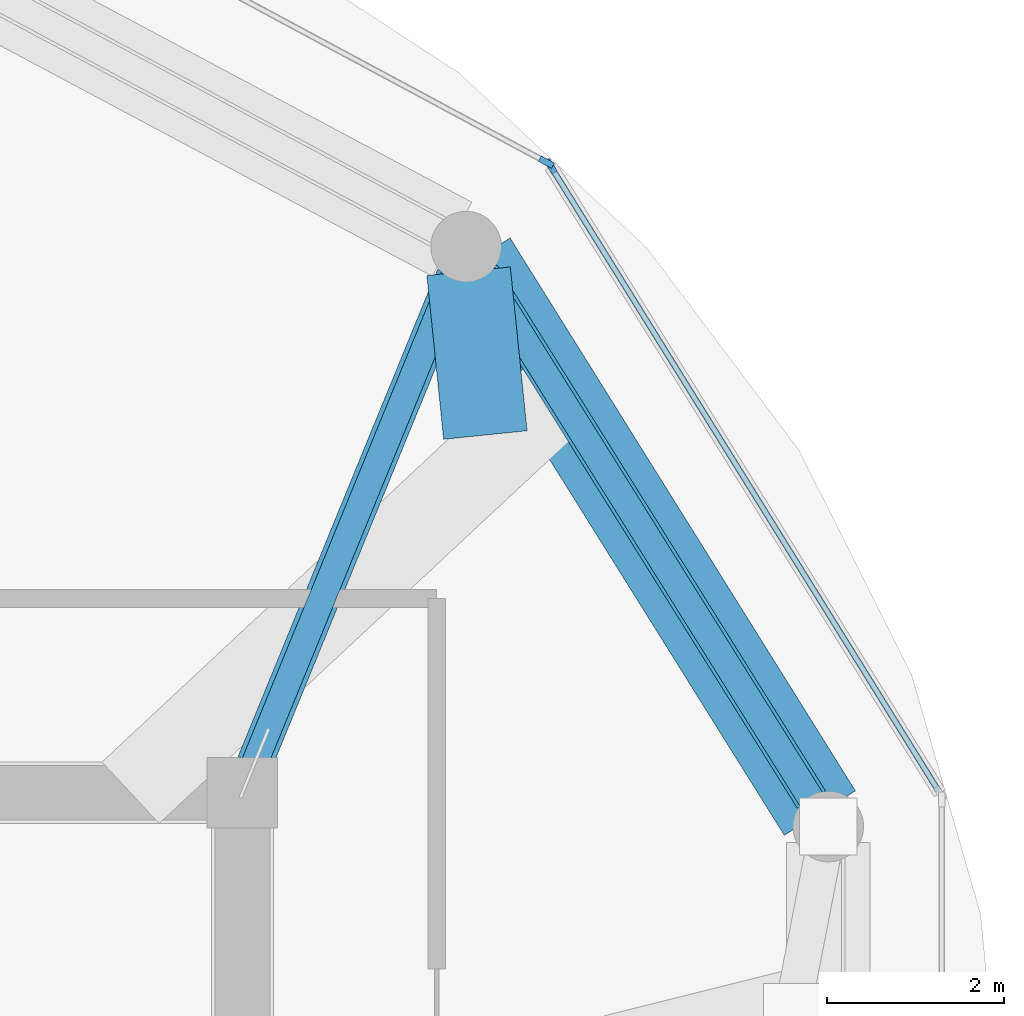
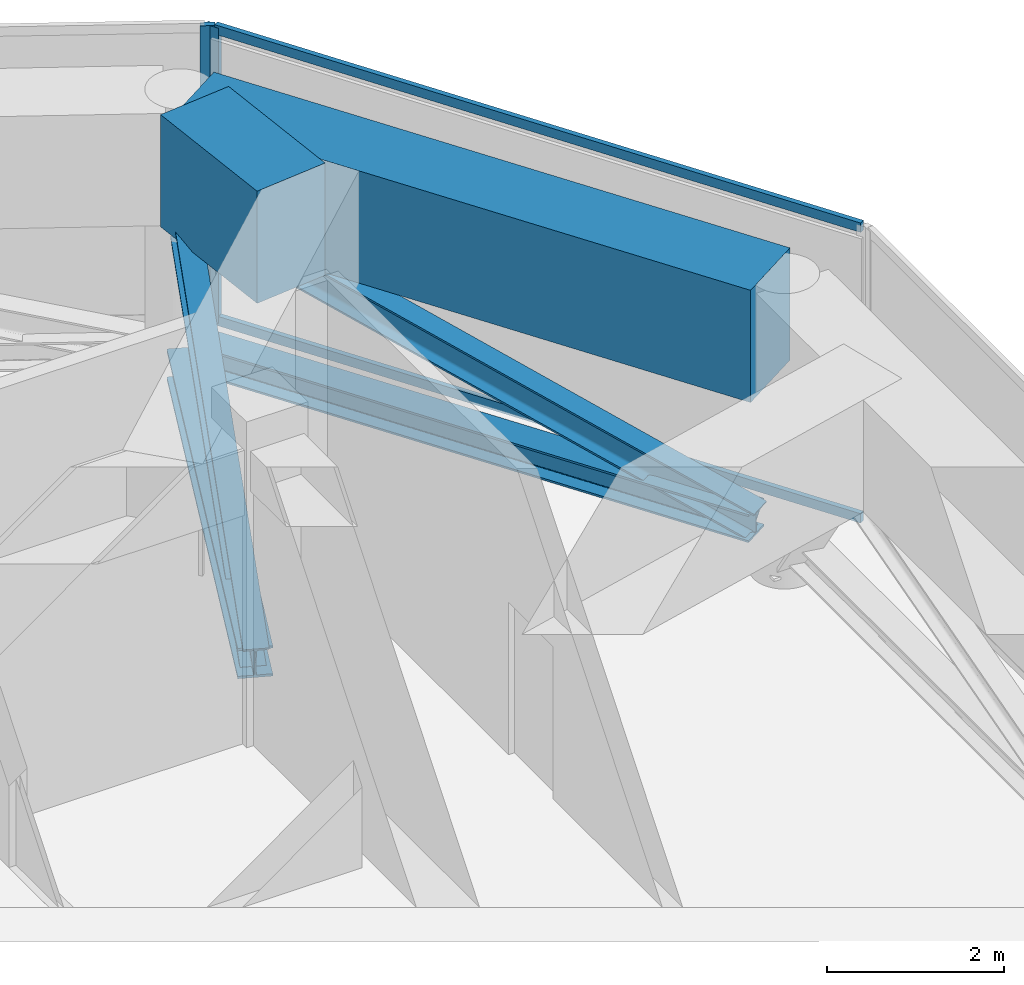
# One storey, part 10 of 20: 8 members, 2 beams, 2 elements without a shape of their own.
"""IFC4 building model written with IfcOpenShell, lengths in metres."""

import ifcopenshell
import ifcopenshell.guid

model = None  # the IFC model being written
_history = None  # IfcOwnerHistory: only IFC2X3 demands one
_inside = {}  # id of a spatial element -> (the spatial element, [elements in it])
_under = {}  # id of a project, library or spatial element -> (it, [spatial elements below it])
_declared = {}  # id of a project -> (the project, [libraries it declares])
_typed = {}  # id of a type object -> (the type object, [elements of that type])
_made_of = {}  # id of a material, layer set ... -> (it, [elements and type objects made of it])


def new_model(schema):
    """Start an empty IFC model of exactly this schema.

    Asked for "IFC4X3", IfcOpenShell would pick the latest addendum, in which some entities
    have other attributes; the version numbers below select the first issue.
    IFC2X3 requires an IfcOwnerHistory on every rooted entity: one is made here for all.
    """
    global model, _history
    if schema == "IFC4X3":
        model = ifcopenshell.file(schema_version=(4, 3, 0, 0))
    else:
        model = ifcopenshell.file(schema=schema)
    _inside.clear()
    _under.clear()
    _declared.clear()
    _typed.clear()
    _made_of.clear()
    _history = None
    if model.schema == "IFC2X3":
        org = make("IfcOrganization", Name="unknown")
        user = make(
            "IfcPersonAndOrganization",
            ThePerson=make("IfcPerson", FamilyName="unknown"),
            TheOrganization=org,
        )
        app = make(
            "IfcApplication",
            ApplicationDeveloper=org,
            Version="unknown",
            ApplicationFullName="unknown",
            ApplicationIdentifier="unknown",
        )
        _history = make(
            "IfcOwnerHistory",
            OwningUser=user,
            OwningApplication=app,
            ChangeAction="ADDED",
            CreationDate=0,
        )
    return model


def make(cls, **values):
    """One entity of the class cls with the attributes given. An attribute that is None is left unset."""
    return model.create_entity(
        cls, **{name: value for name, value in values.items() if value is not None}
    )


def rooted(cls, **values):
    """An entity with a GlobalId (a new one), such as an element, a storey or a relation."""
    return make(cls, GlobalId=ifcopenshell.guid.new(), OwnerHistory=_history, **values)


def si_unit(unit_type, name, prefix=None):
    """IfcSIUnit, for example si_unit("LENGTHUNIT", "METRE", prefix="MILLI")."""
    return make("IfcSIUnit", UnitType=unit_type, Prefix=prefix, Name=name)


def assignment(units):
    """IfcUnitAssignment: the units of a project."""
    return None if units is None else make("IfcUnitAssignment", Units=units)


def point(xyz):
    """IfcCartesianPoint."""
    return None if xyz is None else make("IfcCartesianPoint", Coordinates=xyz)


def direction(xyz):
    """IfcDirection."""
    return None if xyz is None else make("IfcDirection", DirectionRatios=xyz)


def frame(location, z_axis=None, x_axis=None):
    """IfcAxis2Placement3D, a coordinate frame: its origin and axes. An axis left out is left unset."""
    return make(
        "IfcAxis2Placement3D",
        Location=point(location),
        Axis=direction(z_axis),
        RefDirection=direction(x_axis),
    )


def frame_2d(location, x_axis=None):
    """IfcAxis2Placement2D, a coordinate frame in the plane: its origin and x axis."""
    return make(
        "IfcAxis2Placement2D", Location=point(location), RefDirection=direction(x_axis)
    )


def origin():
    """The frame at (0, 0, 0) with its axes left unset."""
    return frame((0.0, 0.0, 0.0))


def origin_2d():
    """The frame at (0, 0) in the plane with its x axis left unset."""
    return frame_2d((0.0, 0.0))


def place(relative_to, where):
    """IfcLocalPlacement: puts the frame where relative to a parent placement (None: the world)."""
    return make(
        "IfcLocalPlacement", PlacementRelTo=relative_to, RelativePlacement=where
    )


def context(
    kind, dimensions, precision=None, world=None, true_north=None, identifier=None
):
    """IfcGeometricRepresentationContext, for example the 3D "Model" context."""
    return make(
        "IfcGeometricRepresentationContext",
        ContextIdentifier=identifier,
        ContextType=kind,
        CoordinateSpaceDimension=dimensions,
        Precision=precision,
        WorldCoordinateSystem=world,
        TrueNorth=true_north,
    )


def subcontext(parent, identifier, kind, view, scale=None):
    """IfcGeometricRepresentationSubContext, for example "Body" below "Model"."""
    return make(
        "IfcGeometricRepresentationSubContext",
        ContextIdentifier=identifier,
        ContextType=kind,
        ParentContext=parent,
        TargetScale=scale,
        TargetView=view,
    )


def project(units=None, contexts=None):
    """IfcProject with its units and contexts."""
    return rooted(
        "IfcProject",
        Name="project",
        RepresentationContexts=contexts,
        UnitsInContext=assignment(units),
    )


def spatial(cls, under=None, at=None, **own):
    """A site, building, storey or space (cls), placed at a placement, below another one or the project."""
    s = rooted(cls, ObjectPlacement=at, **own)
    if under is not None:
        _under.setdefault(under.id(), (under, []))[1].append(s)
    return s


def profile(cls, at=None, kind="AREA", **sizes):
    """A parametric profile (cls). Its sizes go by their IFC names, for example OverallWidth=200.0."""
    return make(cls, ProfileType=kind, Position=at, **sizes)


def rectangle(**sizes):
    """IfcRectangleProfileDef."""
    return profile("IfcRectangleProfileDef", **sizes)


def i_section(**sizes):
    """IfcIShapeProfileDef."""
    return profile("IfcIShapeProfileDef", **sizes)


def extrude(swept, where, along, depth):
    """IfcExtrudedAreaSolid: the profile swept, set in the frame where, extruded along a direction by depth."""
    return make(
        "IfcExtrudedAreaSolid",
        SweptArea=swept,
        Position=where,
        ExtrudedDirection=direction(along),
        Depth=depth,
    )


def shape(context_of_items, identifier, shape_type, items):
    """IfcShapeRepresentation: the items that make up one representation, for example the "Body"."""
    return make(
        "IfcShapeRepresentation",
        ContextOfItems=context_of_items,
        RepresentationIdentifier=identifier,
        RepresentationType=shape_type,
        Items=items,
    )


def source(mapping_origin, context_of_items, identifier, shape_type, items):
    """IfcRepresentationMap: a shape defined once, which mapped items show again and again."""
    return make(
        "IfcRepresentationMap",
        MappingOrigin=mapping_origin,
        MappedRepresentation=shape(context_of_items, identifier, shape_type, items),
    )


def transform(
    local_origin,
    x_axis=None,
    y_axis=None,
    z_axis=None,
    scale=None,
    scale2=None,
    scale3=None,
    uniform=True,
):
    """IfcCartesianTransformationOperator3D, or its non-uniform kind. x_axis, y_axis, z_axis: its Axis1, 2, 3."""
    if uniform:
        return make(
            "IfcCartesianTransformationOperator3D",
            Axis1=direction(x_axis),
            Axis2=direction(y_axis),
            LocalOrigin=point(local_origin),
            Scale=scale,
            Axis3=direction(z_axis),
        )
    return make(
        "IfcCartesianTransformationOperator3DnonUniform",
        Axis1=direction(x_axis),
        Axis2=direction(y_axis),
        LocalOrigin=point(local_origin),
        Scale=scale,
        Axis3=direction(z_axis),
        Scale2=scale2,
        Scale3=scale3,
    )


def mapped(mapping_source, mapping_target):
    """IfcMappedItem: shows the shape of a source again, moved by a transform."""
    return make(
        "IfcMappedItem", MappingSource=mapping_source, MappingTarget=mapping_target
    )


def material(Name=None, Category=None):
    """IfcMaterial."""
    return make("IfcMaterial", Name=Name, Category=Category)


def layer(
    of_material, thickness, ventilated=None, Name=None, Category=None, Priority=None
):
    """IfcMaterialLayer: one layer of a wall or slab, of a material (None: an air gap)."""
    return make(
        "IfcMaterialLayer",
        Material=of_material,
        LayerThickness=thickness,
        IsVentilated=ventilated,
        Name=Name,
        Category=Category,
        Priority=Priority,
    )


def layer_set(layers, Name=None):
    """IfcMaterialLayerSet."""
    return make("IfcMaterialLayerSet", MaterialLayers=layers, LayerSetName=Name)


def material_profile(
    of_material, cross_section, Name=None, Category=None, Priority=None
):
    """IfcMaterialProfile: a cross section and its material."""
    return make(
        "IfcMaterialProfile",
        Name=Name,
        Material=of_material,
        Profile=cross_section,
        Priority=Priority,
        Category=Category,
    )


def profile_set(profiles, Name=None, composite=None):
    """IfcMaterialProfileSet."""
    return make(
        "IfcMaterialProfileSet",
        Name=Name,
        MaterialProfiles=profiles,
        CompositeProfile=composite,
    )


def made_of(thing, what):
    """Note that an element or type object is made of a material, layer set ...; save() writes the relation."""
    if what is not None:
        _made_of.setdefault(what.id(), (what, []))[1].append(thing)
    return thing


def type_object(cls, material=None, **own):
    """A type object (cls), such as IfcWallType, which elements share."""
    return made_of(rooted(cls, **own), material)


def type_shapes(of_type, sources):
    """Give a type object the sources (RepresentationMaps) that its elements show as mapped items."""
    of_type.RepresentationMaps = sources


def element(
    cls,
    number,
    at=None,
    inside=None,
    cuts=None,
    type_object=None,
    material=None,
    context=None,
    identifier="Body",
    shape_type=None,
    held_by="IfcProductDefinitionShape",
    body=None,
    shapes=None,
    **own,
):
    """One element of the class cls, such as IfcWall. Its Tag is "e" and its number.

    at: its placement. inside: the storey or other place that contains it. cuts: it is an
    opening in that element (IfcRelVoidsElement). A single representation is given by context,
    identifier, shape_type and body (its items); several are given by shapes. held_by: the class
    of the entity that holds the representations. save() writes the other relations.
    """
    e = rooted(cls, Tag="e%d" % number, ObjectPlacement=at, **own)
    if body is not None:
        shapes = [shape(context, identifier, shape_type, body)]
    if shapes is not None:
        e.Representation = make(held_by, Representations=shapes)
    if inside is not None:
        _inside.setdefault(inside.id(), (inside, []))[1].append(e)
    if cuts is not None:
        rooted(
            "IfcRelVoidsElement", RelatingBuildingElement=cuts, RelatedOpeningElement=e
        )
    if type_object is not None:
        _typed.setdefault(type_object.id(), (type_object, []))[1].append(e)
    return made_of(e, material)


def aggregate(whole, parts):
    """IfcRelAggregates: a whole, such as a stair, and the parts it consists of."""
    return rooted("IfcRelAggregates", RelatingObject=whole, RelatedObjects=parts)


def save(model, path):
    """Write the relations noted so far, then the file.

    IfcRelAggregates (storeys below a building ...), IfcRelContainedInSpatialStructure (elements
    in a storey), IfcRelDefinesByType, IfcRelAssociatesMaterial and IfcRelDeclares: one each for
    every whole, place, type object, material and project.
    """
    for whole, parts in _under.values():
        aggregate(whole, parts)
    for where, things in _inside.values():
        rooted(
            "IfcRelContainedInSpatialStructure",
            RelatedElements=things,
            RelatingStructure=where,
        )
    for kind, things in _typed.values():
        rooted("IfcRelDefinesByType", RelatedObjects=things, RelatingType=kind)
    for what, things in _made_of.values():
        rooted("IfcRelAssociatesMaterial", RelatedObjects=things, RelatingMaterial=what)
    for by, libraries in _declared.values():
        rooted("IfcRelDeclares", RelatingContext=by, RelatedDefinitions=libraries)
    model.write(path)


model = new_model("IFC4")

# Units and contexts
model_context = context("Model", 3, precision=1e-05, world=origin(), true_north=direction((0.0, 1.0)))
body_context = subcontext(model_context, "Body", "Model", "MODEL_VIEW")
ifc_project = project(units=[si_unit("LENGTHUNIT", "METRE"), si_unit("AREAUNIT", "SQUARE_METRE"), si_unit("VOLUMEUNIT", "CUBIC_METRE"), si_unit("PLANEANGLEUNIT", "RADIAN"), si_unit("MASSUNIT", "GRAM", prefix="KILO")], contexts=[model_context])

# Site, building, storey
site_placement = place(None, origin())
site = spatial("IfcSite", under=ifc_project, at=site_placement, CompositionType="ELEMENT")
building_placement = place(site_placement, origin())
building = spatial("IfcBuilding", under=site, at=building_placement, Name="Norrkilde Senior Care Towers", CompositionType="ELEMENT")
storey_placement = place(building_placement, frame((0.0, 0.0, 186.14990234375)))
storey = spatial("IfcBuildingStorey", under=building, at=storey_placement, Name="L58", CompositionType="ELEMENT", Elevation=186.14990234375)

# Beams
ifc_material_1 = material(Name="Concrete C60/75", Category="concrete")
ifc_material_profile_1 = material_profile(ifc_material_1, rectangle(XDim=0.949951171875, YDim=1.550048828125, at=origin_2d()), Name="RC TG 950x1550")
ifc_profile_set_1 = profile_set([ifc_material_profile_1], Name="Concrete C60/75")
beam_type = type_object("IfcBeamType", Name="Transfer Girder Zone Shift 950x1550", PredefinedType="USERDEFINED", material=ifc_profile_set_1)
shared_shape_1 = source(origin(), body_context, "Body", "SweptSolid", [
    extrude(rectangle(XDim=0.949951171875, YDim=1.550048828125, at=origin_2d()), origin(), (0.0, 0.0, 1.0), 7.383056640625),
])
beam_1_placement = place(storey_placement, frame((42.189453125, 5.7197265625, 3.30517578125), z_axis=(-0.529770050901, 0.848141316744, 0.0), x_axis=(-0.848141316744, -0.529770050901, 0.0)))
element("IfcBeam", 1, at=beam_1_placement, inside=storey, type_object=beam_type, Name="L58 Drum E Zone Ring Transfer Girder 01", ObjectType="GIRDER", PredefinedType="USERDEFINED", context=body_context, shape_type="MappedRepresentation", body=[
    mapped(shared_shape_1, transform((0.0, 0.0, 0.0), x_axis=(1.0, 0.0, 0.0), y_axis=(0.0, 1.0, 0.0), z_axis=(0.0, 0.0, 1.0), scale=1.0)),
])
shared_shape_2 = source(origin(), body_context, "Body", "SweptSolid", [
    extrude(rectangle(XDim=0.949951171875, YDim=1.550048828125, at=origin_2d()), origin(), (0.0, 0.0, 1.0), 1.864501953125),
])
type_shapes(beam_type, [shared_shape_1, shared_shape_2])
beam_2_placement = place(storey_placement, frame((38.4013671875, 10.001220703125, 3.30517578125), z_axis=(-0.10200560731, 0.994783823792, 0.0), x_axis=(-0.994783823792, -0.10200560731, 0.0)))
element("IfcBeam", 2, at=beam_2_placement, inside=storey, type_object=beam_type, Name="L58 Drum E Zone Star Transfer Tie 02", ObjectType="GIRDER", PredefinedType="USERDEFINED", context=body_context, shape_type="MappedRepresentation", body=[
    mapped(shared_shape_2, transform((0.0, 0.0, 0.0), x_axis=(1.0, 0.0, 0.0), y_axis=(0.0, 1.0, 0.0), z_axis=(0.0, 0.0, 1.0), scale=1.0)),
])

# Members
ifc_material_2 = material(Name="Steel S355", Category="steel")
ifc_material_profile_2 = material_profile(ifc_material_2, i_section(OverallWidth=0.3740234375, OverallDepth=0.386962890625, WebThickness=0.01611328125, FlangeThickness=0.027099609375, FilletRadius=0.014892578125, at=origin_2d()), Name="HD 360x262")
ifc_profile_set_2 = profile_set([ifc_material_profile_2], Name="Steel S355")
member_type_1 = type_object("IfcMemberType", Name="Belt Truss Ring Chord HD360x262", PredefinedType="CHORD", material=ifc_profile_set_2)
shared_shape_3 = source(origin(), body_context, "Body", "SweptSolid", [
    extrude(i_section(OverallWidth=0.3740234375, OverallDepth=0.386962890625, WebThickness=0.01611328125, FlangeThickness=0.027099609375, FilletRadius=0.014892578125, at=origin_2d()), origin(), (0.0, 0.0, 1.0), 7.0234375),
])
type_shapes(member_type_1, [shared_shape_3])
member_1_placement = place(storey_placement, frame((42.09423828125, 5.872314453125, 0.550048828125), z_axis=(-0.529789577822, 0.848129119433, 0.0), x_axis=(-0.848129119433, -0.529789577822, 0.0)))
element("IfcMember", 3, at=member_1_placement, inside=storey, type_object=member_type_1, Name="L58 Drum E Belt Truss Bottom Chord 01", PredefinedType="CHORD", context=body_context, shape_type="MappedRepresentation", body=[
    mapped(shared_shape_3, transform((0.0, 0.0, 0.0), x_axis=(1.0, 0.0, 0.0), y_axis=(0.0, 1.0, 0.0), z_axis=(0.0, 0.0, 1.0), scale=1.0)),
])
ifc_material_profile_3 = material_profile(ifc_material_2, i_section(OverallWidth=0.300048828125, OverallDepth=0.39990234375, WebThickness=0.013427734375, FlangeThickness=0.02392578125, FilletRadius=0.027099609375, at=origin_2d()), Name="HEB 400")
ifc_profile_set_3 = profile_set([ifc_material_profile_3], Name="Steel S355")
member_type_2 = type_object("IfcMemberType", Name="Belt Truss Diagonal HEB400", PredefinedType="BRACE", material=ifc_profile_set_3)
shared_shape_4 = source(origin(), body_context, "Body", "SweptSolid", [
    extrude(i_section(OverallWidth=0.300048828125, OverallDepth=0.39990234375, WebThickness=0.013427734375, FlangeThickness=0.02392578125, FilletRadius=0.027099609375, at=origin_2d()), origin(), (0.0, 0.0, 1.0), 7.28369140625),
])
type_shapes(member_type_2, [shared_shape_4])
member_2_placement = place(storey_placement, frame((42.09423828125, 5.872314453125, 0.550048828125), z_axis=(-0.51085413753, 0.817815766787, 0.264963057357), x_axis=(-0.848129119433, -0.529789577822, 0.0)))
element("IfcMember", 4, at=member_2_placement, inside=storey, type_object=member_type_2, Name="L58 Drum E Belt Truss Diagonal 01", PredefinedType="BRACE", context=body_context, shape_type="MappedRepresentation", body=[
    mapped(shared_shape_4, transform((0.0, 0.0, 0.0), x_axis=(1.0, 0.0, 0.0), y_axis=(0.0, 1.0, 0.0), z_axis=(0.0, 0.0, 1.0), scale=1.0)),
])
ifc_material_profile_4 = material_profile(ifc_material_2, i_section(OverallWidth=0.402099609375, OverallDepth=0.419921875, WebThickness=0.02001953125, FlangeThickness=0.032958984375, FilletRadius=0.014892578125, at=origin_2d()), Name="HD 400x347")
ifc_profile_set_4 = profile_set([ifc_material_profile_4], Name="Steel S355")
member_type_3 = type_object("IfcMemberType", Name="Outrigger Truss Chord HD400x347", PredefinedType="CHORD", material=ifc_profile_set_4)
shared_shape_5 = source(origin(), body_context, "Body", "SweptSolid", [
    extrude(i_section(OverallWidth=0.402099609375, OverallDepth=0.419921875, WebThickness=0.02001953125, FlangeThickness=0.032958984375, FilletRadius=0.014892578125, at=origin_2d()), origin(), (0.0, 0.0, 1.0), 5.962890625),
])
type_shapes(member_type_3, [shared_shape_5])
member_3_placement = place(storey_placement, frame((35.786376953125, 6.283203125, 0.550048828125), z_axis=(0.378973992535, 0.925407322741, 0.0), x_axis=(-0.925407322741, 0.378973992535, 0.0)))
element("IfcMember", 5, at=member_3_placement, inside=storey, type_object=member_type_3, Name="L58 Drum E Outrigger Chord 3", PredefinedType="CHORD", context=body_context, shape_type="MappedRepresentation", body=[
    mapped(shared_shape_5, transform((0.0, 0.0, 0.0), x_axis=(1.0, 0.0, 0.0), y_axis=(0.0, 1.0, 0.0), z_axis=(0.0, 0.0, 1.0), scale=1.0)),
])
ifc_material_profile_5 = material_profile(ifc_material_2, i_section(OverallWidth=0.300048828125, OverallDepth=0.5, WebThickness=0.014404296875, FlangeThickness=0.028076171875, FilletRadius=0.027099609375, at=origin_2d()), Name="HEB 500")
ifc_profile_set_5 = profile_set([ifc_material_profile_5], Name="Steel S355")
member_type_4 = type_object("IfcMemberType", Name="Outrigger Truss Diagonal HEB500", PredefinedType="BRACE", material=ifc_profile_set_5)
shared_shape_6 = source(origin(), body_context, "Body", "SweptSolid", [
    extrude(i_section(OverallWidth=0.300048828125, OverallDepth=0.5, WebThickness=0.014404296875, FlangeThickness=0.028076171875, FilletRadius=0.027099609375, at=origin_2d()), origin(), (0.0, 0.0, 1.0), 6.267333984375),
])
type_shapes(member_type_4, [shared_shape_6])
member_4_placement = place(storey_placement, frame((35.786376953125, 6.283203125, 0.550048828125), z_axis=(0.360559021608, 0.88044025566, 0.30793205119), x_axis=(-0.925407322741, 0.378973992535, 0.0)))
element("IfcMember", 6, at=member_4_placement, inside=storey, type_object=member_type_4, Name="L58 Drum E Outrigger Diagonal 3", PredefinedType="BRACE", context=body_context, shape_type="MappedRepresentation", body=[
    mapped(shared_shape_6, transform((0.0, 0.0, 0.0), x_axis=(1.0, 0.0, 0.0), y_axis=(0.0, 1.0, 0.0), z_axis=(0.0, 0.0, 1.0), scale=1.0)),
])

# Curtain wall, member
ifc_material_3 = material(Name="Triple Low-E Insulated Glazing", Category="glass")
ifc_layer = layer(ifc_material_3, 0.18505859375)
ifc_layer_set = layer_set([ifc_layer], Name="Triple Low-E Insulated Glazing")
curtain_wall_type = type_object("IfcCurtainWallType", Name="CW6 Zone 4 Crown Pavilion Curtain Wall", PredefinedType="NOTDEFINED", material=ifc_layer_set)
curtain_wall_1_placement = place(storey_placement, origin())
curtain_wall_1 = element("IfcCurtainWall", 7, at=curtain_wall_1_placement, inside=storey, type_object=curtain_wall_type, Name="L58 Drum E Curtain Wall 00", PredefinedType="NOTDEFINED")
ifc_material_4 = material(Name="Anodised Aluminium", Category="aluminium")
ifc_material_profile_6 = material_profile(ifc_material_4, rectangle(XDim=0.070068359375, YDim=0.169921875, at=origin_2d()), Name="ALU MULL 70x170")
ifc_profile_set_6 = profile_set([ifc_material_profile_6], Name="Anodised Aluminium")
member_type_5 = type_object("IfcMemberType", Name="Curtain Wall Mullion Heavy 70x170", PredefinedType="MULLION", material=ifc_profile_set_6)
shared_shape_7 = source(origin(), body_context, "Body", "SweptSolid", [
    extrude(rectangle(XDim=0.070068359375, YDim=0.169921875, at=origin_2d()), origin(), (0.0, 0.0, 1.0), 4.080078125),
])
type_shapes(member_type_5, [shared_shape_7])
member_5_placement = place(storey_placement, frame((39.1416015625, 13.045166015625, 0.0), z_axis=(0.0, 0.0, 1.0), x_axis=(0.84963405474, 0.52737270789, 0.0)))
member_5 = element("IfcMember", 8, at=member_5_placement, type_object=member_type_5, Name="CW-6 mullion 1", PredefinedType="MULLION", context=body_context, shape_type="MappedRepresentation", body=[
    mapped(shared_shape_7, transform((0.0, 0.0, 0.0), x_axis=(1.0, 0.0, 0.0), y_axis=(0.0, 1.0, 0.0), z_axis=(0.0, 0.0, 1.0), scale=1.0)),
])

curtain_wall_2_placement = place(storey_placement, origin())
curtain_wall_2 = element("IfcCurtainWall", 9, at=curtain_wall_2_placement, inside=storey, type_object=curtain_wall_type, Name="L58 Drum E Curtain Wall 01", PredefinedType="NOTDEFINED")
member_6_placement = place(storey_placement, frame((39.09228515625, 13.091552734375, 0.0), z_axis=(0.0, 0.0, 1.0), x_axis=(0.47311715104, 0.880999524059, 0.0)))
member_6 = element("IfcMember", 10, at=member_6_placement, type_object=member_type_5, Name="CW-6 mullion 2", PredefinedType="MULLION", context=body_context, shape_type="MappedRepresentation", body=[
    mapped(shared_shape_7, transform((0.0, 0.0, 0.0), x_axis=(1.0, 0.0, 0.0), y_axis=(0.0, 1.0, 0.0), z_axis=(0.0, 0.0, 1.0), scale=1.0)),
])
aggregate(curtain_wall_2, [member_6])

# Member
ifc_material_profile_7 = material_profile(ifc_material_4, rectangle(XDim=0.06494140625, YDim=0.1298828125, at=origin_2d()), Name="ALU TRAN 65x130")
ifc_profile_set_7 = profile_set([ifc_material_profile_7], Name="Anodised Aluminium")
member_type_6 = type_object("IfcMemberType", Name="Curtain Wall Transom Heavy 65x130", PredefinedType="USERDEFINED", material=ifc_profile_set_7)
shared_shape_8 = source(origin(), body_context, "Body", "SweptSolid", [
    extrude(rectangle(XDim=0.06494140625, YDim=0.1298828125, at=origin_2d()), origin(), (0.0, 0.0, 1.0), 8.29150390625),
])
type_shapes(member_type_6, [shared_shape_8])
member_7_placement = place(storey_placement, frame((39.159912109375, 13.015380859375, 0.03271484375), z_axis=(0.527384117405, -0.849626972682, 0.0), x_axis=(0.849626972682, 0.527384117405, 0.0)))
member_7 = element("IfcMember", 11, at=member_7_placement, type_object=member_type_6, Name="CW-6 transom 1.1", ObjectType="TRANSOM", PredefinedType="USERDEFINED", context=body_context, shape_type="MappedRepresentation", body=[
    mapped(shared_shape_8, transform((0.0, 0.0, 0.0), x_axis=(1.0, 0.0, 0.0), y_axis=(0.0, 1.0, 0.0), z_axis=(0.0, 0.0, 1.0), scale=1.0)),
])

member_8_placement = place(storey_placement, frame((39.159912109375, 13.015380859375, 4.047607421875), z_axis=(0.527384117405, -0.849626972682, 0.0), x_axis=(0.849626972682, 0.527384117405, 0.0)))
member_8 = element("IfcMember", 12, at=member_8_placement, type_object=member_type_6, Name="CW-6 transom 1.2", ObjectType="TRANSOM", PredefinedType="USERDEFINED", context=body_context, shape_type="MappedRepresentation", body=[
    mapped(shared_shape_8, transform((0.0, 0.0, 0.0), x_axis=(1.0, 0.0, 0.0), y_axis=(0.0, 1.0, 0.0), z_axis=(0.0, 0.0, 1.0), scale=1.0)),
])

aggregate(curtain_wall_1, [member_5, member_7, member_8])

save(model, "model.ifc")
